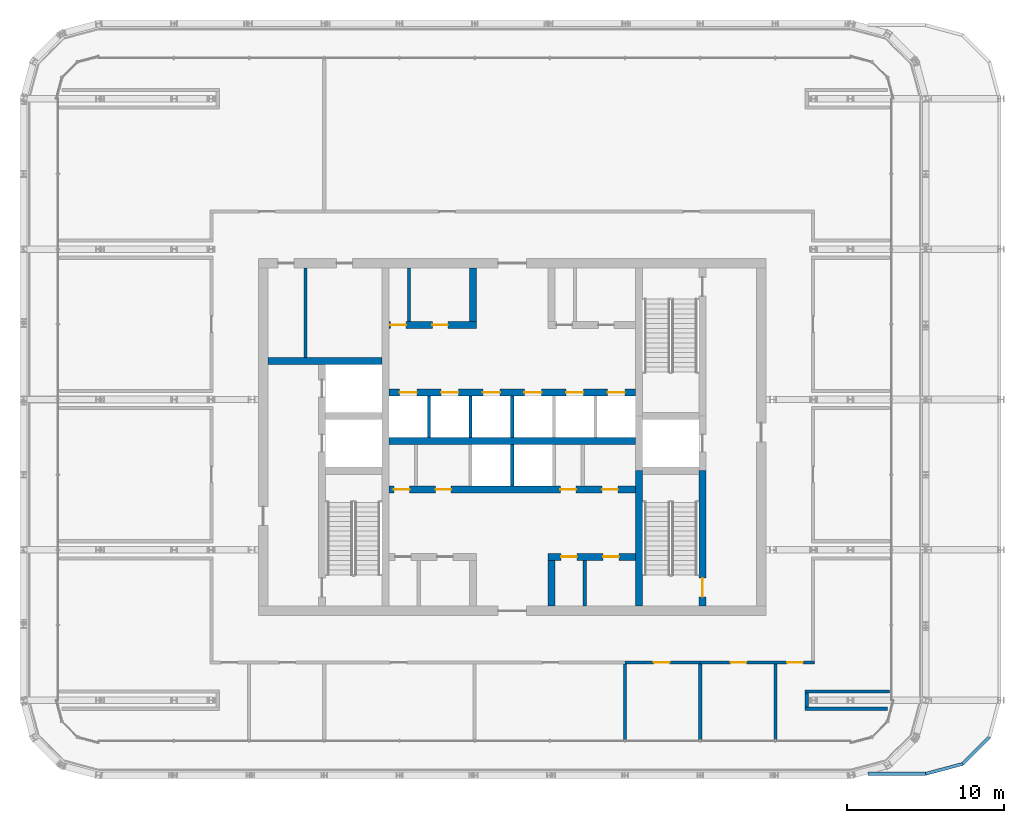
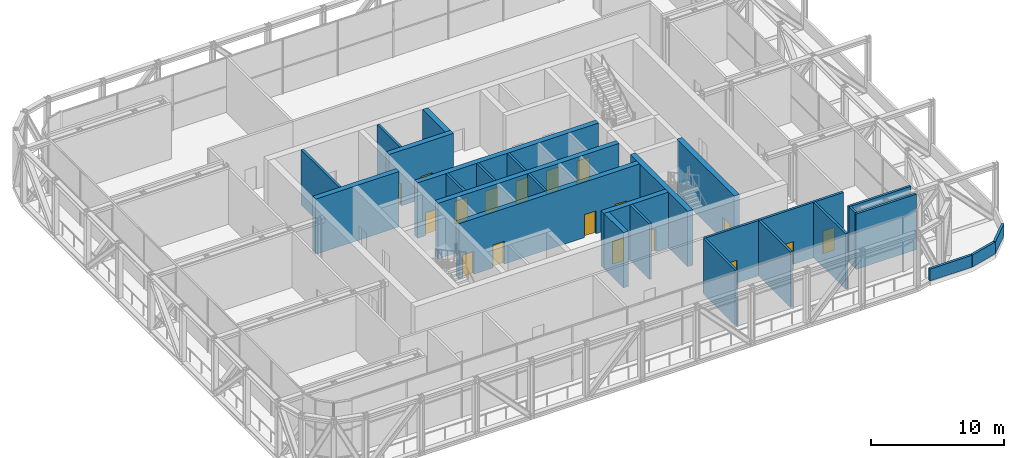
# One storey, part 19 of 26: 28 walls, 18 doors, 18 openings.
"""IFC4 building model written with IfcOpenShell, lengths in metres."""

from ifc_helpers import new_model, si_unit, direction, frame, frame_2d, origin, place, context, subcontext, project, spatial, rectangle, extrude, material, layer, layer_set, type_object, element, fill, save


model = new_model("IFC4")

# Units and contexts
model_context = context("Model", 3, precision=1e-05, world=origin(), true_north=direction((0.0, 1.0)))
body_context = subcontext(model_context, "Body", "Model", "MODEL_VIEW")
ifc_project = project(units=[si_unit("LENGTHUNIT", "METRE"), si_unit("AREAUNIT", "SQUARE_METRE"), si_unit("VOLUMEUNIT", "CUBIC_METRE"), si_unit("PLANEANGLEUNIT", "RADIAN"), si_unit("MASSUNIT", "GRAM", prefix="KILO")], contexts=[model_context])

# Site, building, storey
site_placement = place(None, origin())
site = spatial("IfcSite", under=ifc_project, at=site_placement, CompositionType="ELEMENT")
building_placement = place(site_placement, origin())
building = spatial("IfcBuilding", under=site, at=building_placement, Name="Madar Terraces", CompositionType="ELEMENT")
storey_placement = place(building_placement, frame((0.0, 0.0, 233.300048828125)))
storey = spatial("IfcBuildingStorey", under=building, at=storey_placement, Name="L61", CompositionType="ELEMENT", Elevation=233.300048828125)

# Wall
ifc_material_1 = material(Name="Concrete C55/67", Category="concrete")
ifc_layer_1 = layer(ifc_material_1, 0.449951171875)
ifc_layer_set_1 = layer_set([ifc_layer_1], Name="Concrete C55/67 (CIW5 RC wall 450)")
wall_type_1 = type_object("IfcWallType", Name="CIW5 RC wall 450", PredefinedType="SHEAR", material=ifc_layer_set_1)
wall_1_placement = place(storey_placement, frame((39.300048828125, 15.60009765625, 0.0), z_axis=(0.0, 0.0, 1.0), x_axis=(0.0, 1.0, 0.0)))
element("IfcWall", 1, at=wall_1_placement, inside=storey, type_object=wall_type_1, Name="CORE SHAFT WALL", PredefinedType="SHEAR", context=body_context, shape_type="SweptSolid", body=[
    extrude(rectangle(XDim=8.64990234375, YDim=0.449951171875, at=frame_2d((4.324951171875, 0.0))), origin(), (0.0, 0.0, 1.0), 5.099853515625),
])

# Wall, opening, door
wall_2_placement = place(storey_placement, frame((43.35009765625, 15.60009765625, 0.0), z_axis=(0.0, 0.0, 1.0), x_axis=(0.0, 1.0, 0.0)))
wall_2 = element("IfcWall", 2, at=wall_2_placement, inside=storey, type_object=wall_type_1, Name="CORE SHAFT WALL", PredefinedType="SHEAR", context=body_context, shape_type="SweptSolid", body=[
    extrude(rectangle(XDim=8.64990234375, YDim=0.449951171875, at=frame_2d((4.324951171875, 0.0))), origin(), (0.0, 0.0, 1.0), 5.099853515625),
])
opening_1_placement = place(wall_2_placement, frame((0.60009765625, 0.0, 0.0)))
opening_1 = element("IfcOpeningElement", 3, at=opening_1_placement, cuts=wall_2, Name="Opening SD1", PredefinedType="OPENING", context=body_context, shape_type="SweptSolid", body=[
    extrude(rectangle(XDim=1.199951171875, YDim=2.10009765625, at=frame_2d((0.60009765625, 1.050048828125))), frame((0.0, 0.23486328125, 0.0), z_axis=(0.0, -1.0, 0.0), x_axis=(1.0, 0.0, 0.0)), (0.0, 0.0, 1.0), 0.469970703125),
])
ifc_material_2 = material(Name="Steel door leaf", Category="steel")
door_type_1 = type_object("IfcDoorType", Name="Stair door 1200 x 2100", OperationType="NOTDEFINED", PredefinedType="DOOR", material=ifc_material_2)
door_1_placement = place(opening_1_placement, origin())
door_1 = element("IfcDoor", 4, at=door_1_placement, inside=storey, type_object=door_type_1, Name="STAIR DOOR", OperationType="SINGLE_SWING_RIGHT", OverallHeight=2.10009765625, OverallWidth=1.199951171875, PredefinedType="DOOR", context=body_context, shape_type="SweptSolid", body=[
    extrude(rectangle(XDim=1.199951171875, YDim=2.10009765625, at=frame_2d((0.60009765625, 1.050048828125))), frame((0.0, 0.02490234375, 0.0), z_axis=(0.0, -1.0, 0.0), x_axis=(1.0, 0.0, 0.0)), (0.0, 0.0, 1.0), 0.050048828125),
])
fill(opening_1, door_1)

# Wall
wall_3_placement = place(storey_placement, frame((15.60009765625, 31.25, 0.0), z_axis=(0.0, 0.0, 1.0), x_axis=(1.0, 0.0, 0.0)))
element("IfcWall", 5, at=wall_3_placement, inside=storey, type_object=wall_type_1, Name="CORE SHAFT WALL", PredefinedType="SHEAR", context=body_context, shape_type="SweptSolid", body=[
    extrude(rectangle(XDim=7.27490234375, YDim=0.449951171875, at=frame_2d((3.637451171875, 0.0))), origin(), (0.0, 0.0, 1.0), 5.099853515625),
])

# Wall, openings, doors
wall_4_placement = place(storey_placement, frame((33.47509765625, 18.75, 0.0), z_axis=(0.0, 0.0, 1.0), x_axis=(1.0, 0.0, 0.0)))
wall_4 = element("IfcWall", 6, at=wall_4_placement, inside=storey, type_object=wall_type_1, Name="CORE SHAFT WALL", PredefinedType="SHEAR", context=body_context, shape_type="SweptSolid", body=[
    extrude(rectangle(XDim=5.599853515625, YDim=0.449951171875, at=frame_2d((2.7998046875, 0.0))), origin(), (0.0, 0.0, 1.0), 5.099853515625),
])
opening_2_placement = place(wall_4_placement, frame((0.852783203125, 0.0, 0.0)))
opening_2 = element("IfcOpeningElement", 7, at=opening_2_placement, cuts=wall_4, Name="Opening KD2", PredefinedType="OPENING", context=body_context, shape_type="SweptSolid", body=[
    extrude(rectangle(XDim=1.0, YDim=2.10009765625, at=frame_2d((0.5, 1.050048828125))), frame((0.0, 0.23486328125, 0.0), z_axis=(0.0, -1.0, 0.0), x_axis=(1.0, 0.0, 0.0)), (0.0, 0.0, 1.0), 0.469970703125),
])
opening_3_placement = place(wall_4_placement, frame((3.52783203125, 0.0, 0.0)))
opening_3 = element("IfcOpeningElement", 8, at=opening_3_placement, cuts=wall_4, Name="Opening KD2", PredefinedType="OPENING", context=body_context, shape_type="SweptSolid", body=[
    extrude(rectangle(XDim=1.0, YDim=2.10009765625, at=frame_2d((0.5, 1.050048828125))), frame((0.0, 0.23486328125, 0.0), z_axis=(0.0, -1.0, 0.0), x_axis=(1.0, 0.0, 0.0)), (0.0, 0.0, 1.0), 0.469970703125),
])
ifc_material_3 = material(Name="Steel door leaf", Category="steel")
door_type_2 = type_object("IfcDoorType", Name="Service room door 1000 x 2100", OperationType="NOTDEFINED", PredefinedType="DOOR", material=ifc_material_3)
door_2_placement = place(opening_2_placement, origin())
door_2 = element("IfcDoor", 9, at=door_2_placement, inside=storey, type_object=door_type_2, Name="SERVICE ROOM DOOR", OperationType="SINGLE_SWING_RIGHT", OverallHeight=2.10009765625, OverallWidth=1.0, PredefinedType="DOOR", context=body_context, shape_type="SweptSolid", body=[
    extrude(rectangle(XDim=1.0, YDim=2.10009765625, at=frame_2d((0.5, 1.050048828125))), frame((0.0, 0.02490234375, 0.0), z_axis=(0.0, -1.0, 0.0), x_axis=(1.0, 0.0, 0.0)), (0.0, 0.0, 1.0), 0.050048828125),
])
fill(opening_2, door_2)
door_3_placement = place(opening_3_placement, origin())
door_3 = element("IfcDoor", 10, at=door_3_placement, inside=storey, type_object=door_type_2, Name="SERVICE ROOM DOOR", OperationType="SINGLE_SWING_LEFT", OverallHeight=2.10009765625, OverallWidth=1.0, PredefinedType="DOOR", context=body_context, shape_type="SweptSolid", body=[
    extrude(rectangle(XDim=1.0, YDim=2.10009765625, at=frame_2d((0.5, 1.050048828125))), frame((0.0, 0.02490234375, 0.0), z_axis=(0.0, -1.0, 0.0), x_axis=(1.0, 0.0, 0.0)), (0.0, 0.0, 1.0), 0.050048828125),
])
fill(opening_3, door_3)

wall_5_placement = place(storey_placement, frame((23.324951171875, 23.050048828125, 0.0), z_axis=(0.0, 0.0, 1.0), x_axis=(1.0, 0.0, 0.0)))
wall_5 = element("IfcWall", 11, at=wall_5_placement, inside=storey, type_object=wall_type_1, Name="CORE SHAFT WALL", PredefinedType="SHEAR", context=body_context, shape_type="SweptSolid", body=[
    extrude(rectangle(XDim=15.75, YDim=0.449951171875, at=frame_2d((7.875, 0.0))), origin(), (0.0, 0.0, 1.0), 5.099853515625),
])
opening_4_placement = place(wall_5_placement, frame((0.31982421875, 0.0, 0.0)))
opening_4 = element("IfcOpeningElement", 12, at=opening_4_placement, cuts=wall_5, Name="Opening KD2", PredefinedType="OPENING", context=body_context, shape_type="SweptSolid", body=[
    extrude(rectangle(XDim=1.0, YDim=2.10009765625, at=frame_2d((0.5, 1.050048828125))), frame((0.0, 0.23486328125, 0.0), z_axis=(0.0, -1.0, 0.0), x_axis=(1.0, 0.0, 0.0)), (0.0, 0.0, 1.0), 0.469970703125),
])
opening_5_placement = place(wall_5_placement, frame((2.978271484375, 0.0, 0.0)))
opening_5 = element("IfcOpeningElement", 13, at=opening_5_placement, cuts=wall_5, Name="Opening KD2", PredefinedType="OPENING", context=body_context, shape_type="SweptSolid", body=[
    extrude(rectangle(XDim=1.0, YDim=2.10009765625, at=frame_2d((0.5, 1.050048828125))), frame((0.0, 0.23486328125, 0.0), z_axis=(0.0, -1.0, 0.0), x_axis=(1.0, 0.0, 0.0)), (0.0, 0.0, 1.0), 0.469970703125),
])
opening_6_placement = place(wall_5_placement, frame((10.953125, 0.0, 0.0)))
opening_6 = element("IfcOpeningElement", 14, at=opening_6_placement, cuts=wall_5, Name="Opening KD2", PredefinedType="OPENING", context=body_context, shape_type="SweptSolid", body=[
    extrude(rectangle(XDim=1.0, YDim=2.10009765625, at=frame_2d((0.5, 1.050048828125))), frame((0.0, 0.23486328125, 0.0), z_axis=(0.0, -1.0, 0.0), x_axis=(1.0, 0.0, 0.0)), (0.0, 0.0, 1.0), 0.469970703125),
])
opening_7_placement = place(wall_5_placement, frame((13.611572265625, 0.0, 0.0)))
opening_7 = element("IfcOpeningElement", 15, at=opening_7_placement, cuts=wall_5, Name="Opening KD2", PredefinedType="OPENING", context=body_context, shape_type="SweptSolid", body=[
    extrude(rectangle(XDim=1.0, YDim=2.10009765625, at=frame_2d((0.5, 1.050048828125))), frame((0.0, 0.23486328125, 0.0), z_axis=(0.0, -1.0, 0.0), x_axis=(1.0, 0.0, 0.0)), (0.0, 0.0, 1.0), 0.469970703125),
])
door_4_placement = place(opening_4_placement, frame((1.0, 0.0, 0.0), z_axis=(0.0, 0.0, 1.0), x_axis=(-1.0, 0.0, 0.0)))
door_4 = element("IfcDoor", 16, at=door_4_placement, inside=storey, type_object=door_type_2, Name="SERVICE ROOM DOOR", OperationType="SINGLE_SWING_RIGHT", OverallHeight=2.10009765625, OverallWidth=1.0, PredefinedType="DOOR", context=body_context, shape_type="SweptSolid", body=[
    extrude(rectangle(XDim=1.0, YDim=2.10009765625, at=frame_2d((0.5, 1.050048828125))), frame((0.0, 0.02490234375, 0.0), z_axis=(0.0, -1.0, 0.0), x_axis=(1.0, 0.0, 0.0)), (0.0, 0.0, 1.0), 0.050048828125),
])
fill(opening_4, door_4)
door_5_placement = place(opening_5_placement, frame((1.0, 0.0, 0.0), z_axis=(0.0, 0.0, 1.0), x_axis=(-1.0, 0.0, 0.0)))
door_5 = element("IfcDoor", 17, at=door_5_placement, inside=storey, type_object=door_type_2, Name="SERVICE ROOM DOOR", OperationType="SINGLE_SWING_LEFT", OverallHeight=2.10009765625, OverallWidth=1.0, PredefinedType="DOOR", context=body_context, shape_type="SweptSolid", body=[
    extrude(rectangle(XDim=1.0, YDim=2.10009765625, at=frame_2d((0.5, 1.050048828125))), frame((0.0, 0.02490234375, 0.0), z_axis=(0.0, -1.0, 0.0), x_axis=(1.0, 0.0, 0.0)), (0.0, 0.0, 1.0), 0.050048828125),
])
fill(opening_5, door_5)
door_6_placement = place(opening_6_placement, frame((1.0, 0.0, 0.0), z_axis=(0.0, 0.0, 1.0), x_axis=(-1.0, 0.0, 0.0)))
door_6 = element("IfcDoor", 18, at=door_6_placement, inside=storey, type_object=door_type_2, Name="SERVICE ROOM DOOR", OperationType="SINGLE_SWING_RIGHT", OverallHeight=2.10009765625, OverallWidth=1.0, PredefinedType="DOOR", context=body_context, shape_type="SweptSolid", body=[
    extrude(rectangle(XDim=1.0, YDim=2.10009765625, at=frame_2d((0.5, 1.050048828125))), frame((0.0, 0.02490234375, 0.0), z_axis=(0.0, -1.0, 0.0), x_axis=(1.0, 0.0, 0.0)), (0.0, 0.0, 1.0), 0.050048828125),
])
fill(opening_6, door_6)
door_7_placement = place(opening_7_placement, frame((1.0, 0.0, 0.0), z_axis=(0.0, 0.0, 1.0), x_axis=(-1.0, 0.0, 0.0)))
door_7 = element("IfcDoor", 19, at=door_7_placement, inside=storey, type_object=door_type_2, Name="SERVICE ROOM DOOR", OperationType="SINGLE_SWING_LEFT", OverallHeight=2.10009765625, OverallWidth=1.0, PredefinedType="DOOR", context=body_context, shape_type="SweptSolid", body=[
    extrude(rectangle(XDim=1.0, YDim=2.10009765625, at=frame_2d((0.5, 1.050048828125))), frame((0.0, 0.02490234375, 0.0), z_axis=(0.0, -1.0, 0.0), x_axis=(1.0, 0.0, 0.0)), (0.0, 0.0, 1.0), 0.050048828125),
])
fill(opening_7, door_7)

# Wall
wall_6_placement = place(storey_placement, frame((23.324951171875, 26.14990234375, 0.0), z_axis=(0.0, 0.0, 1.0), x_axis=(1.0, 0.0, 0.0)))
element("IfcWall", 20, at=wall_6_placement, inside=storey, type_object=wall_type_1, Name="CORE SHAFT WALL", PredefinedType="SHEAR", context=body_context, shape_type="SweptSolid", body=[
    extrude(rectangle(XDim=15.75, YDim=0.449951171875, at=frame_2d((7.875, 0.0))), origin(), (0.0, 0.0, 1.0), 5.099853515625),
])

# Wall, openings, doors
wall_7_placement = place(storey_placement, frame((23.324951171875, 29.25, 0.0), z_axis=(0.0, 0.0, 1.0), x_axis=(1.0, 0.0, 0.0)))
wall_7 = element("IfcWall", 21, at=wall_7_placement, inside=storey, type_object=wall_type_1, Name="CORE SHAFT WALL", PredefinedType="SHEAR", context=body_context, shape_type="SweptSolid", body=[
    extrude(rectangle(XDim=15.75, YDim=0.449951171875, at=frame_2d((7.875, 0.0))), origin(), (0.0, 0.0, 1.0), 5.099853515625),
])
opening_8_placement = place(wall_7_placement, frame((0.67919921875, 0.0, 0.0)))
opening_8 = element("IfcOpeningElement", 22, at=opening_8_placement, cuts=wall_7, Name="Opening LD", PredefinedType="OPENING", context=body_context, shape_type="SweptSolid", body=[
    extrude(rectangle(XDim=1.10009765625, YDim=2.10009765625, at=frame_2d((0.550048828125, 1.050048828125))), frame((0.0, 0.23486328125, 0.0), z_axis=(0.0, -1.0, 0.0), x_axis=(1.0, 0.0, 0.0)), (0.0, 0.0, 1.0), 0.469970703125),
])
opening_9_placement = place(wall_7_placement, frame((3.33740234375, 0.0, 0.0)))
opening_9 = element("IfcOpeningElement", 23, at=opening_9_placement, cuts=wall_7, Name="Opening LD", PredefinedType="OPENING", context=body_context, shape_type="SweptSolid", body=[
    extrude(rectangle(XDim=1.10009765625, YDim=2.10009765625, at=frame_2d((0.550048828125, 1.050048828125))), frame((0.0, 0.23486328125, 0.0), z_axis=(0.0, -1.0, 0.0), x_axis=(1.0, 0.0, 0.0)), (0.0, 0.0, 1.0), 0.469970703125),
])
opening_10_placement = place(wall_7_placement, frame((5.995849609375, 0.0, 0.0)))
opening_10 = element("IfcOpeningElement", 24, at=opening_10_placement, cuts=wall_7, Name="Opening LD", PredefinedType="OPENING", context=body_context, shape_type="SweptSolid", body=[
    extrude(rectangle(XDim=1.10009765625, YDim=2.10009765625, at=frame_2d((0.550048828125, 1.050048828125))), frame((0.0, 0.23486328125, 0.0), z_axis=(0.0, -1.0, 0.0), x_axis=(1.0, 0.0, 0.0)), (0.0, 0.0, 1.0), 0.469970703125),
])
opening_11_placement = place(wall_7_placement, frame((8.654052734375, 0.0, 0.0)))
opening_11 = element("IfcOpeningElement", 25, at=opening_11_placement, cuts=wall_7, Name="Opening LD", PredefinedType="OPENING", context=body_context, shape_type="SweptSolid", body=[
    extrude(rectangle(XDim=1.10009765625, YDim=2.10009765625, at=frame_2d((0.550048828125, 1.050048828125))), frame((0.0, 0.23486328125, 0.0), z_axis=(0.0, -1.0, 0.0), x_axis=(1.0, 0.0, 0.0)), (0.0, 0.0, 1.0), 0.469970703125),
])
opening_12_placement = place(wall_7_placement, frame((11.3125, 0.0, 0.0)))
opening_12 = element("IfcOpeningElement", 26, at=opening_12_placement, cuts=wall_7, Name="Opening LD", PredefinedType="OPENING", context=body_context, shape_type="SweptSolid", body=[
    extrude(rectangle(XDim=1.10009765625, YDim=2.10009765625, at=frame_2d((0.550048828125, 1.050048828125))), frame((0.0, 0.23486328125, 0.0), z_axis=(0.0, -1.0, 0.0), x_axis=(1.0, 0.0, 0.0)), (0.0, 0.0, 1.0), 0.469970703125),
])
opening_13_placement = place(wall_7_placement, frame((13.970947265625, 0.0, 0.0)))
opening_13 = element("IfcOpeningElement", 27, at=opening_13_placement, cuts=wall_7, Name="Opening LD", PredefinedType="OPENING", context=body_context, shape_type="SweptSolid", body=[
    extrude(rectangle(XDim=1.10009765625, YDim=2.10009765625, at=frame_2d((0.550048828125, 1.050048828125))), frame((0.0, 0.23486328125, 0.0), z_axis=(0.0, -1.0, 0.0), x_axis=(1.0, 0.0, 0.0)), (0.0, 0.0, 1.0), 0.469970703125),
])
ifc_material_4 = material(Name="Stainless steel panel", Category="steel")
door_type_3 = type_object("IfcDoorType", Name="Lift landing door 1100 x 2100", OperationType="DOUBLE_DOOR_SLIDING", PredefinedType="DOOR", material=ifc_material_4)
door_8_placement = place(opening_8_placement, origin())
door_8 = element("IfcDoor", 28, at=door_8_placement, inside=storey, type_object=door_type_3, Name="LIFT LANDING DOOR", OperationType="DOUBLE_DOOR_SLIDING", OverallHeight=2.10009765625, OverallWidth=1.10009765625, PredefinedType="DOOR", context=body_context, shape_type="SweptSolid", body=[
    extrude(rectangle(XDim=1.10009765625, YDim=2.10009765625, at=frame_2d((0.550048828125, 1.050048828125))), frame((0.0, 0.02490234375, 0.0), z_axis=(0.0, -1.0, 0.0), x_axis=(1.0, 0.0, 0.0)), (0.0, 0.0, 1.0), 0.050048828125),
])
fill(opening_8, door_8)
door_9_placement = place(opening_9_placement, origin())
door_9 = element("IfcDoor", 29, at=door_9_placement, inside=storey, type_object=door_type_3, Name="LIFT LANDING DOOR", OperationType="DOUBLE_DOOR_SLIDING", OverallHeight=2.10009765625, OverallWidth=1.10009765625, PredefinedType="DOOR", context=body_context, shape_type="SweptSolid", body=[
    extrude(rectangle(XDim=1.10009765625, YDim=2.10009765625, at=frame_2d((0.550048828125, 1.050048828125))), frame((0.0, 0.02490234375, 0.0), z_axis=(0.0, -1.0, 0.0), x_axis=(1.0, 0.0, 0.0)), (0.0, 0.0, 1.0), 0.050048828125),
])
fill(opening_9, door_9)
door_10_placement = place(opening_10_placement, origin())
door_10 = element("IfcDoor", 30, at=door_10_placement, inside=storey, type_object=door_type_3, Name="LIFT LANDING DOOR", OperationType="DOUBLE_DOOR_SLIDING", OverallHeight=2.10009765625, OverallWidth=1.10009765625, PredefinedType="DOOR", context=body_context, shape_type="SweptSolid", body=[
    extrude(rectangle(XDim=1.10009765625, YDim=2.10009765625, at=frame_2d((0.550048828125, 1.050048828125))), frame((0.0, 0.02490234375, 0.0), z_axis=(0.0, -1.0, 0.0), x_axis=(1.0, 0.0, 0.0)), (0.0, 0.0, 1.0), 0.050048828125),
])
fill(opening_10, door_10)
door_11_placement = place(opening_11_placement, origin())
door_11 = element("IfcDoor", 31, at=door_11_placement, inside=storey, type_object=door_type_3, Name="LIFT LANDING DOOR", OperationType="DOUBLE_DOOR_SLIDING", OverallHeight=2.10009765625, OverallWidth=1.10009765625, PredefinedType="DOOR", context=body_context, shape_type="SweptSolid", body=[
    extrude(rectangle(XDim=1.10009765625, YDim=2.10009765625, at=frame_2d((0.550048828125, 1.050048828125))), frame((0.0, 0.02490234375, 0.0), z_axis=(0.0, -1.0, 0.0), x_axis=(1.0, 0.0, 0.0)), (0.0, 0.0, 1.0), 0.050048828125),
])
fill(opening_11, door_11)
door_12_placement = place(opening_12_placement, origin())
door_12 = element("IfcDoor", 32, at=door_12_placement, inside=storey, type_object=door_type_3, Name="LIFT LANDING DOOR", OperationType="DOUBLE_DOOR_SLIDING", OverallHeight=2.10009765625, OverallWidth=1.10009765625, PredefinedType="DOOR", context=body_context, shape_type="SweptSolid", body=[
    extrude(rectangle(XDim=1.10009765625, YDim=2.10009765625, at=frame_2d((0.550048828125, 1.050048828125))), frame((0.0, 0.02490234375, 0.0), z_axis=(0.0, -1.0, 0.0), x_axis=(1.0, 0.0, 0.0)), (0.0, 0.0, 1.0), 0.050048828125),
])
fill(opening_12, door_12)
door_13_placement = place(opening_13_placement, origin())
door_13 = element("IfcDoor", 33, at=door_13_placement, inside=storey, type_object=door_type_3, Name="LIFT LANDING DOOR", OperationType="DOUBLE_DOOR_SLIDING", OverallHeight=2.10009765625, OverallWidth=1.10009765625, PredefinedType="DOOR", context=body_context, shape_type="SweptSolid", body=[
    extrude(rectangle(XDim=1.10009765625, YDim=2.10009765625, at=frame_2d((0.550048828125, 1.050048828125))), frame((0.0, 0.02490234375, 0.0), z_axis=(0.0, -1.0, 0.0), x_axis=(1.0, 0.0, 0.0)), (0.0, 0.0, 1.0), 0.050048828125),
])
fill(opening_13, door_13)

wall_8_placement = place(storey_placement, frame((23.324951171875, 33.550048828125, 0.0), z_axis=(0.0, 0.0, 1.0), x_axis=(1.0, 0.0, 0.0)))
wall_8 = element("IfcWall", 34, at=wall_8_placement, inside=storey, type_object=wall_type_1, Name="CORE SHAFT WALL", PredefinedType="SHEAR", context=body_context, shape_type="SweptSolid", body=[
    extrude(rectangle(XDim=5.60009765625, YDim=0.449951171875, at=frame_2d((2.800048828125, 0.0))), origin(), (0.0, 0.0, 1.0), 5.099853515625),
])
opening_14_placement = place(wall_8_placement, frame((0.09375, 0.0, 0.0)))
opening_14 = element("IfcOpeningElement", 35, at=opening_14_placement, cuts=wall_8, Name="Opening KD2", PredefinedType="OPENING", context=body_context, shape_type="SweptSolid", body=[
    extrude(rectangle(XDim=1.0, YDim=2.10009765625, at=frame_2d((0.5, 1.050048828125))), frame((0.0, 0.23486328125, 0.0), z_axis=(0.0, -1.0, 0.0), x_axis=(1.0, 0.0, 0.0)), (0.0, 0.0, 1.0), 0.469970703125),
])
opening_15_placement = place(wall_8_placement, frame((2.768798828125, 0.0, 0.0)))
opening_15 = element("IfcOpeningElement", 36, at=opening_15_placement, cuts=wall_8, Name="Opening KD2", PredefinedType="OPENING", context=body_context, shape_type="SweptSolid", body=[
    extrude(rectangle(XDim=1.0, YDim=2.10009765625, at=frame_2d((0.5, 1.050048828125))), frame((0.0, 0.23486328125, 0.0), z_axis=(0.0, -1.0, 0.0), x_axis=(1.0, 0.0, 0.0)), (0.0, 0.0, 1.0), 0.469970703125),
])
door_14_placement = place(opening_14_placement, frame((1.0, 0.0, 0.0), z_axis=(0.0, 0.0, 1.0), x_axis=(-1.0, 0.0, 0.0)))
door_14 = element("IfcDoor", 37, at=door_14_placement, inside=storey, type_object=door_type_2, Name="SERVICE ROOM DOOR", OperationType="SINGLE_SWING_RIGHT", OverallHeight=2.10009765625, OverallWidth=1.0, PredefinedType="DOOR", context=body_context, shape_type="SweptSolid", body=[
    extrude(rectangle(XDim=1.0, YDim=2.10009765625, at=frame_2d((0.5, 1.050048828125))), frame((0.0, 0.02490234375, 0.0), z_axis=(0.0, -1.0, 0.0), x_axis=(1.0, 0.0, 0.0)), (0.0, 0.0, 1.0), 0.050048828125),
])
fill(opening_14, door_14)
door_15_placement = place(opening_15_placement, frame((1.0, 0.0, 0.0), z_axis=(0.0, 0.0, 1.0), x_axis=(-1.0, 0.0, 0.0)))
door_15 = element("IfcDoor", 38, at=door_15_placement, inside=storey, type_object=door_type_2, Name="SERVICE ROOM DOOR", OperationType="SINGLE_SWING_LEFT", OverallHeight=2.10009765625, OverallWidth=1.0, PredefinedType="DOOR", context=body_context, shape_type="SweptSolid", body=[
    extrude(rectangle(XDim=1.0, YDim=2.10009765625, at=frame_2d((0.5, 1.050048828125))), frame((0.0, 0.02490234375, 0.0), z_axis=(0.0, -1.0, 0.0), x_axis=(1.0, 0.0, 0.0)), (0.0, 0.0, 1.0), 0.050048828125),
])
fill(opening_15, door_15)

# Walls
wall_9_placement = place(storey_placement, frame((33.699951171875, 15.60009765625, 0.0), z_axis=(0.0, 0.0, 1.0), x_axis=(0.0, 1.0, 0.0)))
element("IfcWall", 39, at=wall_9_placement, inside=storey, type_object=wall_type_1, Name="CORE SHAFT WALL", PredefinedType="SHEAR", context=body_context, shape_type="SweptSolid", body=[
    extrude(rectangle(XDim=2.9248046875, YDim=0.449951171875, at=frame_2d((1.46240234375, 0.0))), origin(), (0.0, 0.0, 1.0), 5.099853515625),
])
wall_10_placement = place(storey_placement, frame((28.699951171875, 33.77490234375, 0.0), z_axis=(0.0, 0.0, 1.0), x_axis=(0.0, 1.0, 0.0)))
element("IfcWall", 40, at=wall_10_placement, inside=storey, type_object=wall_type_1, Name="CORE SHAFT WALL", PredefinedType="SHEAR", context=body_context, shape_type="SweptSolid", body=[
    extrude(rectangle(XDim=3.425048828125, YDim=0.449951171875, at=frame_2d((1.71240234375, 0.0))), origin(), (0.0, 0.0, 1.0), 5.099853515625),
])
ifc_material_5 = material(Name="Masonry blockwork", Category="masonry")
ifc_layer_2 = layer(ifc_material_5, 0.199951171875)
ifc_layer_set_2 = layer_set([ifc_layer_2], Name="Core partition 200 blockwork")
wall_type_2 = type_object("IfcWallType", Name="Core partition 200 blockwork", PredefinedType="PARTITIONING", material=ifc_layer_set_2)
wall_11_placement = place(storey_placement, frame((18.000732421875, 31.47509765625, 0.0), z_axis=(0.0, 0.0, 1.0), x_axis=(0.0, 1.0, 0.0)))
element("IfcWall", 41, at=wall_11_placement, inside=storey, type_object=wall_type_2, Name="SERVICE ROOM PARTITION", PredefinedType="PARTITIONING", context=body_context, shape_type="SweptSolid", body=[
    extrude(rectangle(XDim=5.724853515625, YDim=0.199951171875, at=frame_2d((2.8623046875, 0.0))), origin(), (0.0, 0.0, 1.0), 5.099853515625),
])
wall_12_placement = place(storey_placement, frame((35.83056640625, 15.60009765625, 0.0), z_axis=(0.0, 0.0, 1.0), x_axis=(0.0, 1.0, 0.0)))
element("IfcWall", 42, at=wall_12_placement, inside=storey, type_object=wall_type_2, Name="SERVICE ROOM PARTITION", PredefinedType="PARTITIONING", context=body_context, shape_type="SweptSolid", body=[
    extrude(rectangle(XDim=2.9248046875, YDim=0.199951171875, at=frame_2d((1.46240234375, 0.0))), origin(), (0.0, 0.0, 1.0), 5.099853515625),
])
wall_13_placement = place(storey_placement, frame((24.612548828125, 33.77490234375, 0.0), z_axis=(0.0, 0.0, 1.0), x_axis=(0.0, 1.0, 0.0)))
element("IfcWall", 43, at=wall_13_placement, inside=storey, type_object=wall_type_2, Name="SERVICE ROOM PARTITION", PredefinedType="PARTITIONING", context=body_context, shape_type="SweptSolid", body=[
    extrude(rectangle(XDim=3.425048828125, YDim=0.199951171875, at=frame_2d((1.71240234375, 0.0))), origin(), (0.0, 0.0, 1.0), 5.099853515625),
])
ifc_material_6 = material(Name="Concrete C40/50", Category="concrete")
ifc_layer_3 = layer(ifc_material_6, 0.199951171875)
ifc_layer_set_3 = layer_set([ifc_layer_3], Name="Core shaft dividing wall 200 C40/50")
wall_type_3 = type_object("IfcWallType", Name="Core shaft dividing wall 200 C40/50", PredefinedType="SOLIDWALL", material=ifc_layer_set_3)
for number, where, z_axis, x_axis, name in (
    (44, (25.88330078125, 26.375, 0.0), (0.0, 0.0, 1.0), (0.0, 1.0, 0.0), "SHAFT DIVIDING WALL"),
    (45, (28.541748046875, 26.375, 0.0), (0.0, 0.0, 1.0), (0.0, 1.0, 0.0), "SHAFT DIVIDING WALL"),
):
    element("IfcWall", number, at=place(storey_placement, frame(where, z_axis=z_axis, x_axis=x_axis)), inside=storey, type_object=wall_type_3, Name=name, PredefinedType="SOLIDWALL", context=body_context, shape_type="SweptSolid", body=[
        extrude(rectangle(XDim=2.64990234375, YDim=0.199951171875, at=frame_2d((1.324951171875, 0.0))), origin(), (0.0, 0.0, 1.0), 5.099853515625),
    ])
wall_14_placement = place(storey_placement, frame((31.199951171875, 23.27490234375, 0.0), z_axis=(0.0, 0.0, 1.0), x_axis=(0.0, 1.0, 0.0)))
element("IfcWall", 46, at=wall_14_placement, inside=storey, type_object=wall_type_3, Name="SHAFT DIVIDING WALL", PredefinedType="SOLIDWALL", context=body_context, shape_type="SweptSolid", body=[
    extrude(rectangle(XDim=2.650146484375, YDim=0.199951171875, at=frame_2d((1.3251953125, 0.0))), origin(), (0.0, 0.0, 1.0), 5.099853515625),
])
wall_15_placement = place(storey_placement, frame((31.199951171875, 26.375, 0.0), z_axis=(0.0, 0.0, 1.0), x_axis=(0.0, 1.0, 0.0)))
element("IfcWall", 47, at=wall_15_placement, inside=storey, type_object=wall_type_3, Name="SHAFT DIVIDING WALL", PredefinedType="SOLIDWALL", context=body_context, shape_type="SweptSolid", body=[
    extrude(rectangle(XDim=2.64990234375, YDim=0.199951171875, at=frame_2d((1.324951171875, 0.0))), origin(), (0.0, 0.0, 1.0), 5.099853515625),
])
ifc_material_7 = material(Name="Blockwork", Category="masonry")
ifc_layer_4 = layer(ifc_material_7, 0.199951171875)
ifc_layer_set_4 = layer_set([ifc_layer_4], Name="Partition 200 EI 120")
wall_type_4 = type_object("IfcWallType", Name="Partition 200 EI 120", PredefinedType="PARTITIONING", material=ifc_layer_set_4)
wall_16_placement = place(storey_placement, frame((49.89990234375, 9.050048828125, 0.0), z_axis=(0.0, 0.0, 1.0), x_axis=(1.0, 0.0, 0.0)))
element("IfcWall", 48, at=wall_16_placement, inside=storey, type_object=wall_type_4, Name="Wall TRANSFORMER ROOM / TRUSS SLOT", PredefinedType="PARTITIONING", context=body_context, shape_type="SweptSolid", body=[
    extrude(rectangle(XDim=5.25, YDim=0.199951171875, at=frame_2d((2.625, 0.0))), origin(), (0.0, 0.0, 1.0), 5.099853515625),
])
wall_17_placement = place(storey_placement, frame((49.89990234375, 10.14990234375, 0.0), z_axis=(0.0, 0.0, 1.0), x_axis=(1.0, 0.0, 0.0)))
element("IfcWall", 49, at=wall_17_placement, inside=storey, type_object=wall_type_4, Name="Wall TRANSFORMER ROOM / TRUSS SLOT", PredefinedType="PARTITIONING", context=body_context, shape_type="SweptSolid", body=[
    extrude(rectangle(XDim=5.400146484375, YDim=0.199951171875, at=frame_2d((2.7001953125, 0.0))), origin(), (0.0, 0.0, 1.0), 5.099853515625),
])

# Wall, openings, doors
wall_18_placement = place(storey_placement, frame((50.5, 12.0, 0.0), z_axis=(0.0, 0.0, 1.0), x_axis=(-1.0, 0.0, 0.0)))
wall_18 = element("IfcWall", 50, at=wall_18_placement, inside=storey, type_object=wall_type_4, Name="Wall FIRE PUMP PLANT ROOM + TRANSFORMER ROOM", PredefinedType="PARTITIONING", context=body_context, shape_type="SweptSolid", body=[
    extrude(rectangle(XDim=7.300048828125, YDim=0.199951171875, at=frame_2d((3.64990234375, 0.0))), origin(), (0.0, 0.0, 1.0), 5.099853515625),
])
opening_16_placement = place(wall_18_placement, frame((4.35009765625, 0.0, 0.0)))
opening_16 = element("IfcOpeningElement", 51, at=opening_16_placement, cuts=wall_18, Name="Opening D33", PredefinedType="OPENING", context=body_context, shape_type="SweptSolid", body=[
    extrude(rectangle(XDim=1.0, YDim=2.10009765625, at=frame_2d((0.5, 1.050048828125))), frame((0.0, 0.10986328125, 0.0), z_axis=(0.0, -1.0, 0.0), x_axis=(1.0, 0.0, 0.0)), (0.0, 0.0, 1.0), 0.219970703125),
])
opening_17_placement = place(wall_18_placement, frame((0.75, 0.0, 0.0)))
opening_17 = element("IfcOpeningElement", 52, at=opening_17_placement, cuts=wall_18, Name="Opening D33", PredefinedType="OPENING", context=body_context, shape_type="SweptSolid", body=[
    extrude(rectangle(XDim=1.0, YDim=2.10009765625, at=frame_2d((0.5, 1.050048828125))), frame((0.0, 0.10986328125, 0.0), z_axis=(0.0, -1.0, 0.0), x_axis=(1.0, 0.0, 0.0)), (0.0, 0.0, 1.0), 0.219970703125),
])
ifc_material_8 = material(Name="Timber door leaf, fire-rated", Category="wood")
door_type_4 = type_object("IfcDoorType", Name="Podium door 1000 x 2100 FD90S", OperationType="NOTDEFINED", PredefinedType="DOOR", material=ifc_material_8)
door_16_placement = place(opening_16_placement, origin())
door_16 = element("IfcDoor", 53, at=door_16_placement, inside=storey, type_object=door_type_4, Name="Door FIRE PUMP PLANT ROOM / RING CORRIDOR", OperationType="SINGLE_SWING_LEFT", OverallHeight=2.10009765625, OverallWidth=1.0, PredefinedType="DOOR", context=body_context, shape_type="SweptSolid", body=[
    extrude(rectangle(XDim=1.0, YDim=2.10009765625, at=frame_2d((0.5, 1.050048828125))), frame((0.0, 0.02490234375, 0.0), z_axis=(0.0, -1.0, 0.0), x_axis=(1.0, 0.0, 0.0)), (0.0, 0.0, 1.0), 0.050048828125),
])
fill(opening_16, door_16)
door_17_placement = place(opening_17_placement, origin())
door_17 = element("IfcDoor", 54, at=door_17_placement, inside=storey, type_object=door_type_4, Name="Door TRANSFORMER ROOM / RING CORRIDOR", OperationType="SINGLE_SWING_RIGHT", OverallHeight=2.10009765625, OverallWidth=1.0, PredefinedType="DOOR", context=body_context, shape_type="SweptSolid", body=[
    extrude(rectangle(XDim=1.0, YDim=2.10009765625, at=frame_2d((0.5, 1.050048828125))), frame((0.0, 0.02490234375, 0.0), z_axis=(0.0, -1.0, 0.0), x_axis=(1.0, 0.0, 0.0)), (0.0, 0.0, 1.0), 0.050048828125),
])
fill(opening_17, door_17)

# Walls
for number, where, z_axis, x_axis, name in (
    (55, (38.39990234375, 7.10009765625, 0.0), (0.0, 0.0, 1.0), (0.0, 1.0, 0.0), "Wall TRANSFER PUMP PLANT ROOM / ACCESSIBLE WC"),
    (56, (43.199951171875, 7.10009765625, 0.0), (0.0, 0.0, 1.0), (0.0, 1.0, 0.0), "Wall ACCESSIBLE WC / FIRE PUMP PLANT ROOM"),
    (57, (48.0, 7.10009765625, 0.0), (0.0, 0.0, 1.0), (0.0, 1.0, 0.0), "Wall FIRE PUMP PLANT ROOM / TRANSFORMER ROOM"),
):
    element("IfcWall", number, at=place(storey_placement, frame(where, z_axis=z_axis, x_axis=x_axis)), inside=storey, type_object=wall_type_4, Name=name, PredefinedType="PARTITIONING", context=body_context, shape_type="SweptSolid", body=[
        extrude(rectangle(XDim=4.7998046875, YDim=0.199951171875, at=frame_2d((2.39990234375, 0.0))), origin(), (0.0, 0.0, 1.0), 5.099853515625),
    ])
wall_19_placement = place(storey_placement, frame((50.0, 9.14990234375, 0.0), z_axis=(0.0, 0.0, 1.0), x_axis=(0.0, 1.0, 0.0)))
element("IfcWall", 58, at=wall_19_placement, inside=storey, type_object=wall_type_4, Name="Wall TRANSFORMER ROOM / TRUSS SLOT", PredefinedType="PARTITIONING", context=body_context, shape_type="SweptSolid", body=[
    extrude(rectangle(XDim=0.900146484375, YDim=0.199951171875, at=frame_2d((0.4501953125, 0.0))), origin(), (0.0, 0.0, 1.0), 5.099853515625),
])

# Wall, opening, door
ifc_material_9 = material(Name="Gypsum board partition, fire-rated")
ifc_layer_5 = layer(ifc_material_9, 0.199951171875)
ifc_layer_set_5 = layer_set([ifc_layer_5], Name="Partition 200 EI 60")
wall_type_5 = type_object("IfcWallType", Name="Partition 200 EI 60", PredefinedType="PARTITIONING", material=ifc_layer_set_5)
wall_20_placement = place(storey_placement, frame((43.199951171875, 12.0, 0.0), z_axis=(0.0, 0.0, 1.0), x_axis=(-1.0, 0.0, 0.0)))
wall_20 = element("IfcWall", 59, at=wall_20_placement, inside=storey, type_object=wall_type_5, Name="Wall ACCESSIBLE WC / RING CORRIDOR", PredefinedType="PARTITIONING", context=body_context, shape_type="SweptSolid", body=[
    extrude(rectangle(XDim=4.800048828125, YDim=0.199951171875, at=frame_2d((2.39990234375, 0.0))), origin(), (0.0, 0.0, 1.0), 5.099853515625),
])
opening_18_placement = place(wall_20_placement, frame((1.949951171875, 0.0, 0.0)))
opening_18 = element("IfcOpeningElement", 60, at=opening_18_placement, cuts=wall_20, Name="Opening D31", PredefinedType="OPENING", context=body_context, shape_type="SweptSolid", body=[
    extrude(rectangle(XDim=1.0, YDim=2.10009765625, at=frame_2d((0.5, 1.050048828125))), frame((0.0, 0.10986328125, 0.0), z_axis=(0.0, -1.0, 0.0), x_axis=(1.0, 0.0, 0.0)), (0.0, 0.0, 1.0), 0.219970703125),
])
ifc_material_10 = material(Name="Timber door leaf, fire-rated", Category="wood")
door_type_5 = type_object("IfcDoorType", Name="Podium door 1000 x 2100 FD30S", OperationType="NOTDEFINED", PredefinedType="DOOR", material=ifc_material_10)
door_18_placement = place(opening_18_placement, origin())
door_18 = element("IfcDoor", 61, at=door_18_placement, inside=storey, type_object=door_type_5, Name="Door ACCESSIBLE WC / RING CORRIDOR", OperationType="SINGLE_SWING_RIGHT", OverallHeight=2.10009765625, OverallWidth=1.0, PredefinedType="DOOR", context=body_context, shape_type="SweptSolid", body=[
    extrude(rectangle(XDim=1.0, YDim=2.10009765625, at=frame_2d((0.5, 1.050048828125))), frame((0.0, 0.02490234375, 0.0), z_axis=(0.0, -1.0, 0.0), x_axis=(1.0, 0.0, 0.0)), (0.0, 0.0, 1.0), 0.050048828125),
])
fill(opening_18, door_18)

# Walls
ifc_material_11 = material(Name="Concrete C40/50", Category="concrete")
ifc_layer_6 = layer(ifc_material_11, 0.199951171875)
ifc_layer_set_6 = layer_set([ifc_layer_6], Name="Roof parapet 200")
wall_type_6 = type_object("IfcWallType", Name="Roof parapet 200", PredefinedType="PARAPET", material=ifc_layer_set_6)
for number, where, z_axis, x_axis, name in (
    (62, (57.60009765625, 4.89990234375, 0.0400390625), (0.0, 0.0, 1.0), (0.965901008911, 0.258911647064, 0.0), "Roof parapet"),
    (63, (59.949951171875, 5.52978515625, 0.0400390625), (0.0, 0.0, 1.0), (0.707156953733, 0.70705660508, 0.0), "Roof parapet"),
):
    element("IfcWall", number, at=place(storey_placement, frame(where, z_axis=z_axis, x_axis=x_axis)), inside=storey, type_object=wall_type_6, Name=name, PredefinedType="PARAPET", context=body_context, shape_type="SweptSolid", body=[
        extrude(rectangle(XDim=2.432861328125, YDim=0.199951171875, at=frame_2d((1.21630859375, 0.0))), origin(), (0.0, 0.0, 1.0), 1.099853515625),
    ])
wall_21_placement = place(storey_placement, frame((53.9208984375, 4.89990234375, 0.0400390625), z_axis=(0.0, 0.0, 1.0), x_axis=(1.0, 0.0, 0.0)))
element("IfcWall", 64, at=wall_21_placement, inside=storey, type_object=wall_type_6, Name="Roof parapet", PredefinedType="PARAPET", context=body_context, shape_type="SweptSolid", body=[
    extrude(rectangle(XDim=3.67919921875, YDim=0.199951171875, at=frame_2d((1.839599609375, 0.0))), origin(), (0.0, 0.0, 1.0), 1.099853515625),
])

save(model, "model.ifc")
